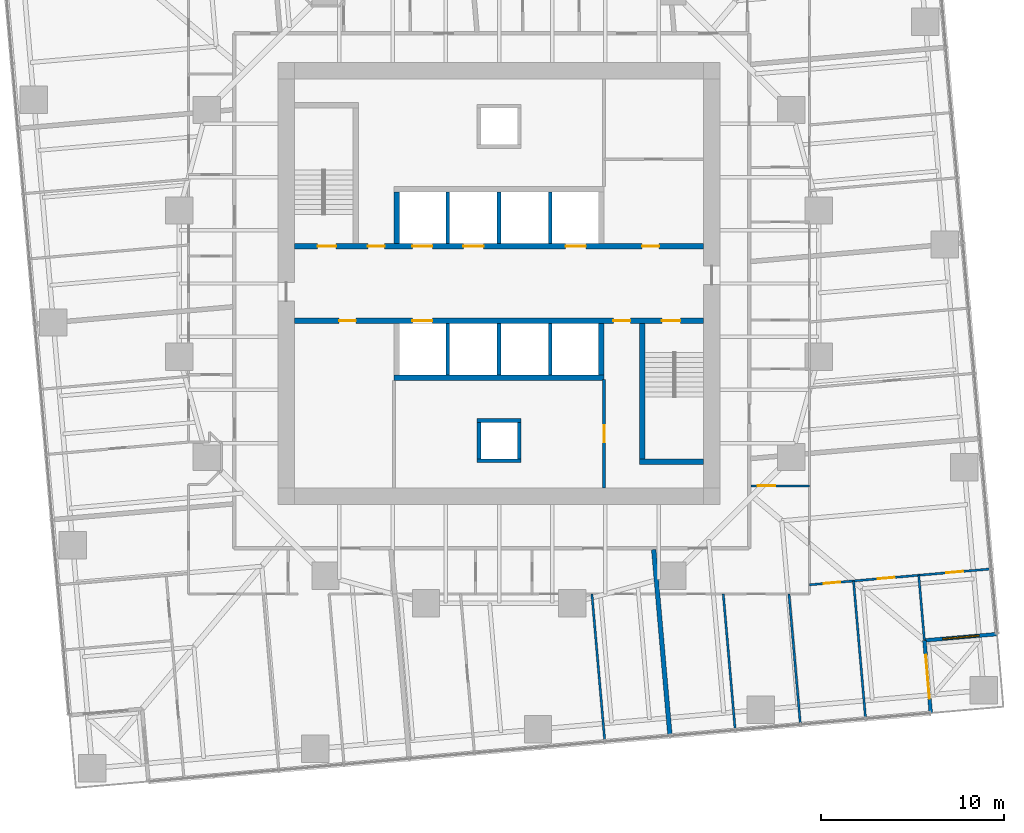
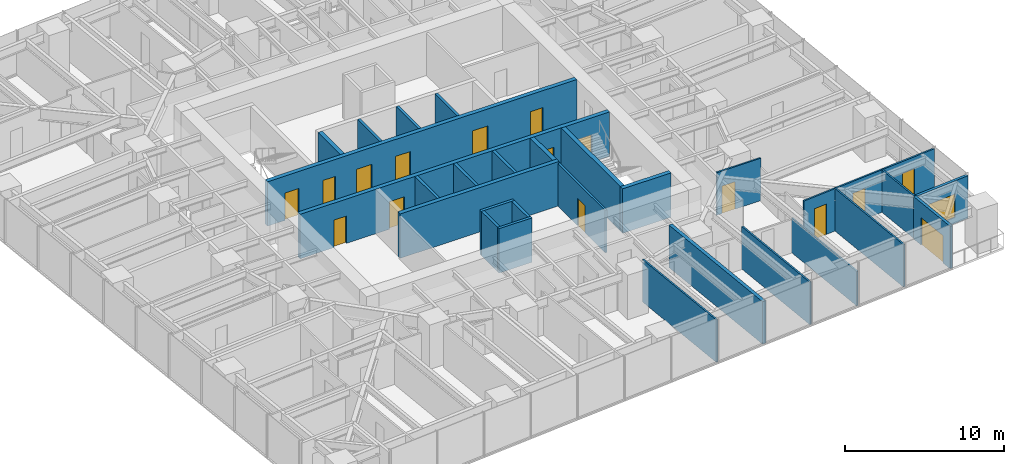
# One storey, part 10 of 14: 28 walls, 16 doors, 1 window, 17 openings.
"""IFC4 building model written with IfcOpenShell, lengths in metres."""

from ifc_helpers import new_model, si_unit, direction, frame, frame_2d, origin, place, context, subcontext, project, spatial, rectangle, extrude, material, layer, layer_set, type_object, element, fill, save


model = new_model("IFC4")

# Units and contexts
model_context = context("Model", 3, precision=1e-05, world=origin(), true_north=direction((0.0, 1.0)))
body_context = subcontext(model_context, "Body", "Model", "MODEL_VIEW")
ifc_project = project(units=[si_unit("LENGTHUNIT", "METRE"), si_unit("AREAUNIT", "SQUARE_METRE"), si_unit("VOLUMEUNIT", "CUBIC_METRE"), si_unit("PLANEANGLEUNIT", "RADIAN"), si_unit("MASSUNIT", "GRAM", prefix="KILO")], contexts=[model_context])

# Site, building, storey
site_placement = place(None, origin())
site = spatial("IfcSite", under=ifc_project, at=site_placement, CompositionType="ELEMENT")
building_placement = place(site_placement, origin())
building = spatial("IfcBuilding", under=site, at=building_placement, Name="Torsade Residences", CompositionType="ELEMENT")
storey_placement = place(building_placement, frame((0.0, 0.0, 54.0)))
storey = spatial("IfcBuildingStorey", under=building, at=storey_placement, Name="L14", CompositionType="ELEMENT", Elevation=54.0)

# Wall, openings, doors
ifc_material_1 = material(Name="Concrete 80 MPa", Category="concrete")
ifc_layer_1 = layer(ifc_material_1, 0.300048828125)
ifc_layer_set_1 = layer_set([ifc_layer_1], Name="Concrete 80 MPa")
wall_type_1 = type_object("IfcWallType", Name="CORE INTERNAL WALL 300", PredefinedType="SHEAR", material=ifc_layer_set_1)
wall_1_placement = place(storey_placement, frame((28.800048828125, 32.050048828125, 0.0), z_axis=(0.0, 0.0, 1.0), x_axis=(1.0, 0.0, 0.0)))
wall_1 = element("IfcWall", 1, at=wall_1_placement, inside=storey, type_object=wall_type_1, Name="Core wall LN L14", PredefinedType="SHEAR", context=body_context, shape_type="SweptSolid", body=[
    extrude(rectangle(XDim=22.39990234375, YDim=0.300048828125, at=frame_2d((11.199951171875, 0.0))), origin(), (0.0, 0.0, 1.0), 3.39990234375),
])
opening_1_placement = place(wall_1_placement, frame((19.0400390625, 0.0, 0.0)))
opening_1 = element("IfcOpeningElement", 2, at=opening_1_placement, cuts=wall_1, Name="Opening D06", PredefinedType="OPENING", context=body_context, shape_type="SweptSolid", body=[
    extrude(rectangle(XDim=0.919921875, YDim=2.10009765625, at=frame_2d((0.4599609375, 1.050048828125))), frame((0.0, 0.159912109375, 0.0), z_axis=(0.0, -1.0, 0.0), x_axis=(1.0, 0.0, 0.0)), (0.0, 0.0, 1.0), 0.320068359375),
])
opening_2_placement = place(wall_1_placement, frame((1.264892578125, 0.0, 0.0)))
opening_2 = element("IfcOpeningElement", 3, at=opening_2_placement, cuts=wall_1, Name="Opening D03", PredefinedType="OPENING", context=body_context, shape_type="SweptSolid", body=[
    extrude(rectangle(XDim=1.02001953125, YDim=2.10009765625, at=frame_2d((0.510009765625, 1.050048828125))), frame((0.0, 0.159912109375, 0.0), z_axis=(0.0, -1.0, 0.0), x_axis=(1.0, 0.0, 0.0)), (0.0, 0.0, 1.0), 0.320068359375),
])
opening_3_placement = place(wall_1_placement, frame((4.014892578125, 0.0, 0.0)))
opening_3 = element("IfcOpeningElement", 4, at=opening_3_placement, cuts=wall_1, Name="Opening D06", PredefinedType="OPENING", context=body_context, shape_type="SweptSolid", body=[
    extrude(rectangle(XDim=0.919921875, YDim=2.10009765625, at=frame_2d((0.4599609375, 1.050048828125))), frame((0.0, 0.159912109375, 0.0), z_axis=(0.0, -1.0, 0.0), x_axis=(1.0, 0.0, 0.0)), (0.0, 0.0, 1.0), 0.320068359375),
])
opening_4_placement = place(wall_1_placement, frame((6.449951171875, 0.0, 0.0)))
opening_4 = element("IfcOpeningElement", 5, at=opening_4_placement, cuts=wall_1, Name="Opening LD", PredefinedType="OPENING", context=body_context, shape_type="SweptSolid", body=[
    extrude(rectangle(XDim=1.10009765625, YDim=2.10009765625, at=frame_2d((0.550048828125, 1.050048828125))), frame((0.0, 0.159912109375, 0.0), z_axis=(0.0, -1.0, 0.0), x_axis=(1.0, 0.0, 0.0)), (0.0, 0.0, 1.0), 0.320068359375),
])
opening_5_placement = place(wall_1_placement, frame((9.25, 0.0, 0.0)))
opening_5 = element("IfcOpeningElement", 6, at=opening_5_placement, cuts=wall_1, Name="Opening LD", PredefinedType="OPENING", context=body_context, shape_type="SweptSolid", body=[
    extrude(rectangle(XDim=1.10009765625, YDim=2.10009765625, at=frame_2d((0.550048828125, 1.050048828125))), frame((0.0, 0.159912109375, 0.0), z_axis=(0.0, -1.0, 0.0), x_axis=(1.0, 0.0, 0.0)), (0.0, 0.0, 1.0), 0.320068359375),
])
opening_6_placement = place(wall_1_placement, frame((14.85009765625, 0.0, 0.0)))
opening_6 = element("IfcOpeningElement", 7, at=opening_6_placement, cuts=wall_1, Name="Opening LD", PredefinedType="OPENING", context=body_context, shape_type="SweptSolid", body=[
    extrude(rectangle(XDim=1.10009765625, YDim=2.10009765625, at=frame_2d((0.550048828125, 1.050048828125))), frame((0.0, 0.159912109375, 0.0), z_axis=(0.0, -1.0, 0.0), x_axis=(1.0, 0.0, 0.0)), (0.0, 0.0, 1.0), 0.320068359375),
])
ifc_material_2 = material(Name="Steel-framed fire door", Category="steel")
door_type_1 = type_object("IfcDoorType", Name="FIRE DOOR 1020", OperationType="NOTDEFINED", PredefinedType="DOOR", material=ifc_material_2)
door_1_placement = place(opening_2_placement, origin())
door_1 = element("IfcDoor", 8, at=door_1_placement, inside=storey, type_object=door_type_1, Name="Exit door to fire-isolated stair ST1 L14", OperationType="SINGLE_SWING_RIGHT", OverallHeight=2.10009765625, OverallWidth=1.02001953125, PredefinedType="DOOR", context=body_context, shape_type="SweptSolid", body=[
    extrude(rectangle(XDim=1.02001953125, YDim=2.10009765625, at=frame_2d((0.510009765625, 1.050048828125))), frame((0.0, 0.02490234375, 0.0), z_axis=(0.0, -1.0, 0.0), x_axis=(1.0, 0.0, 0.0)), (0.0, 0.0, 1.0), 0.050048828125),
])
fill(opening_2, door_1)
ifc_material_3 = material(Name="Steel-framed fire door", Category="steel")
door_type_2 = type_object("IfcDoorType", Name="FIRE DOOR 920", OperationType="NOTDEFINED", PredefinedType="DOOR", material=ifc_material_3)
door_2_placement = place(opening_1_placement, origin())
door_2 = element("IfcDoor", 9, at=door_2_placement, inside=storey, type_object=door_type_2, Name="Door Lift lobby to Refuse room", OperationType="SINGLE_SWING_LEFT", OverallHeight=2.10009765625, OverallWidth=0.919921875, PredefinedType="DOOR", context=body_context, shape_type="SweptSolid", body=[
    extrude(rectangle(XDim=0.919921875, YDim=2.10009765625, at=frame_2d((0.4599609375, 1.050048828125))), frame((0.0, 0.02490234375, 0.0), z_axis=(0.0, -1.0, 0.0), x_axis=(1.0, 0.0, 0.0)), (0.0, 0.0, 1.0), 0.050048828125),
])
fill(opening_1, door_2)
door_3_placement = place(opening_3_placement, origin())
door_3 = element("IfcDoor", 10, at=door_3_placement, inside=storey, type_object=door_type_2, Name="Door Lift lobby to Electrical riser room", OperationType="SINGLE_SWING_LEFT", OverallHeight=2.10009765625, OverallWidth=0.919921875, PredefinedType="DOOR", context=body_context, shape_type="SweptSolid", body=[
    extrude(rectangle(XDim=0.919921875, YDim=2.10009765625, at=frame_2d((0.4599609375, 1.050048828125))), frame((0.0, 0.02490234375, 0.0), z_axis=(0.0, -1.0, 0.0), x_axis=(1.0, 0.0, 0.0)), (0.0, 0.0, 1.0), 0.050048828125),
])
fill(opening_3, door_3)
ifc_material_4 = material(Name="Stainless steel lift landing door", Category="steel")
door_type_3 = type_object("IfcDoorType", Name="LIFT LANDING DOOR 1100", OperationType="SLIDING_TO_LEFT", PredefinedType="DOOR", material=ifc_material_4)
door_4_placement = place(opening_4_placement, origin())
door_4 = element("IfcDoor", 11, at=door_4_placement, inside=storey, type_object=door_type_3, Name="Lift LA1 landing door L14", OperationType="SLIDING_TO_LEFT", OverallHeight=2.10009765625, OverallWidth=1.10009765625, PredefinedType="DOOR", context=body_context, shape_type="SweptSolid", body=[
    extrude(rectangle(XDim=1.10009765625, YDim=2.10009765625, at=frame_2d((0.550048828125, 1.050048828125))), frame((0.0, 0.02490234375, 0.0), z_axis=(0.0, -1.0, 0.0), x_axis=(1.0, 0.0, 0.0)), (0.0, 0.0, 1.0), 0.050048828125),
])
fill(opening_4, door_4)
door_5_placement = place(opening_5_placement, origin())
door_5 = element("IfcDoor", 12, at=door_5_placement, inside=storey, type_object=door_type_3, Name="Lift LA2 landing door L14", OperationType="SLIDING_TO_LEFT", OverallHeight=2.10009765625, OverallWidth=1.10009765625, PredefinedType="DOOR", context=body_context, shape_type="SweptSolid", body=[
    extrude(rectangle(XDim=1.10009765625, YDim=2.10009765625, at=frame_2d((0.550048828125, 1.050048828125))), frame((0.0, 0.02490234375, 0.0), z_axis=(0.0, -1.0, 0.0), x_axis=(1.0, 0.0, 0.0)), (0.0, 0.0, 1.0), 0.050048828125),
])
fill(opening_5, door_5)
door_6_placement = place(opening_6_placement, origin())
door_6 = element("IfcDoor", 13, at=door_6_placement, inside=storey, type_object=door_type_3, Name="Lift FL1 landing door L14", OperationType="SLIDING_TO_LEFT", OverallHeight=2.10009765625, OverallWidth=1.10009765625, PredefinedType="DOOR", context=body_context, shape_type="SweptSolid", body=[
    extrude(rectangle(XDim=1.10009765625, YDim=2.10009765625, at=frame_2d((0.550048828125, 1.050048828125))), frame((0.0, 0.02490234375, 0.0), z_axis=(0.0, -1.0, 0.0), x_axis=(1.0, 0.0, 0.0)), (0.0, 0.0, 1.0), 0.050048828125),
])
fill(opening_6, door_6)

wall_2_placement = place(storey_placement, frame((51.199951171875, 27.949951171875, 0.0), z_axis=(0.0, 0.0, 1.0), x_axis=(-1.0, 0.0, 0.0)))
wall_2 = element("IfcWall", 14, at=wall_2_placement, inside=storey, type_object=wall_type_1, Name="Core wall LS L14", PredefinedType="SHEAR", context=body_context, shape_type="SweptSolid", body=[
    extrude(rectangle(XDim=22.39990234375, YDim=0.300048828125, at=frame_2d((11.199951171875, 0.0))), origin(), (0.0, 0.0, 1.0), 3.39990234375),
])
opening_7_placement = place(wall_2_placement, frame((19.0400390625, 0.0, 0.0)))
opening_7 = element("IfcOpeningElement", 15, at=opening_7_placement, cuts=wall_2, Name="Opening D06", PredefinedType="OPENING", context=body_context, shape_type="SweptSolid", body=[
    extrude(rectangle(XDim=0.919921875, YDim=2.10009765625, at=frame_2d((0.4599609375, 1.050048828125))), frame((0.0, 0.159912109375, 0.0), z_axis=(0.0, -1.0, 0.0), x_axis=(1.0, 0.0, 0.0)), (0.0, 0.0, 1.0), 0.320068359375),
])
opening_8_placement = place(wall_2_placement, frame((1.264892578125, 0.0, 0.0)))
opening_8 = element("IfcOpeningElement", 16, at=opening_8_placement, cuts=wall_2, Name="Opening D03", PredefinedType="OPENING", context=body_context, shape_type="SweptSolid", body=[
    extrude(rectangle(XDim=1.02001953125, YDim=2.10009765625, at=frame_2d((0.510009765625, 1.050048828125))), frame((0.0, 0.159912109375, 0.0), z_axis=(0.0, -1.0, 0.0), x_axis=(1.0, 0.0, 0.0)), (0.0, 0.0, 1.0), 0.320068359375),
])
opening_9_placement = place(wall_2_placement, frame((4.014892578125, 0.0, 0.0)))
opening_9 = element("IfcOpeningElement", 17, at=opening_9_placement, cuts=wall_2, Name="Opening D06", PredefinedType="OPENING", context=body_context, shape_type="SweptSolid", body=[
    extrude(rectangle(XDim=0.919921875, YDim=2.10009765625, at=frame_2d((0.4599609375, 1.050048828125))), frame((0.0, 0.159912109375, 0.0), z_axis=(0.0, -1.0, 0.0), x_axis=(1.0, 0.0, 0.0)), (0.0, 0.0, 1.0), 0.320068359375),
])
opening_10_placement = place(wall_2_placement, frame((14.85009765625, 0.0, 0.0)))
opening_10 = element("IfcOpeningElement", 18, at=opening_10_placement, cuts=wall_2, Name="Opening LD", PredefinedType="OPENING", context=body_context, shape_type="SweptSolid", body=[
    extrude(rectangle(XDim=1.10009765625, YDim=2.10009765625, at=frame_2d((0.550048828125, 1.050048828125))), frame((0.0, 0.159912109375, 0.0), z_axis=(0.0, -1.0, 0.0), x_axis=(1.0, 0.0, 0.0)), (0.0, 0.0, 1.0), 0.320068359375),
])
door_7_placement = place(opening_8_placement, origin())
door_7 = element("IfcDoor", 19, at=door_7_placement, inside=storey, type_object=door_type_1, Name="Exit door to fire-isolated stair ST2 L14", OperationType="SINGLE_SWING_RIGHT", OverallHeight=2.10009765625, OverallWidth=1.02001953125, PredefinedType="DOOR", context=body_context, shape_type="SweptSolid", body=[
    extrude(rectangle(XDim=1.02001953125, YDim=2.10009765625, at=frame_2d((0.510009765625, 1.050048828125))), frame((0.0, 0.02490234375, 0.0), z_axis=(0.0, -1.0, 0.0), x_axis=(1.0, 0.0, 0.0)), (0.0, 0.0, 1.0), 0.050048828125),
])
fill(opening_8, door_7)
door_8_placement = place(opening_7_placement, origin())
door_8 = element("IfcDoor", 20, at=door_8_placement, inside=storey, type_object=door_type_2, Name="Door Lift lobby to Cleaner store", OperationType="SINGLE_SWING_LEFT", OverallHeight=2.10009765625, OverallWidth=0.919921875, PredefinedType="DOOR", context=body_context, shape_type="SweptSolid", body=[
    extrude(rectangle(XDim=0.919921875, YDim=2.10009765625, at=frame_2d((0.4599609375, 1.050048828125))), frame((0.0, 0.02490234375, 0.0), z_axis=(0.0, -1.0, 0.0), x_axis=(1.0, 0.0, 0.0)), (0.0, 0.0, 1.0), 0.050048828125),
])
fill(opening_7, door_8)
door_9_placement = place(opening_9_placement, origin())
door_9 = element("IfcDoor", 21, at=door_9_placement, inside=storey, type_object=door_type_2, Name="Door Lift lobby to Security and data store", OperationType="SINGLE_SWING_RIGHT", OverallHeight=2.10009765625, OverallWidth=0.919921875, PredefinedType="DOOR", context=body_context, shape_type="SweptSolid", body=[
    extrude(rectangle(XDim=0.919921875, YDim=2.10009765625, at=frame_2d((0.4599609375, 1.050048828125))), frame((0.0, 0.02490234375, 0.0), z_axis=(0.0, -1.0, 0.0), x_axis=(1.0, 0.0, 0.0)), (0.0, 0.0, 1.0), 0.050048828125),
])
fill(opening_9, door_9)
door_10_placement = place(opening_10_placement, origin())
door_10 = element("IfcDoor", 22, at=door_10_placement, inside=storey, type_object=door_type_3, Name="Lift FL2 landing door L14", OperationType="SLIDING_TO_LEFT", OverallHeight=2.10009765625, OverallWidth=1.10009765625, PredefinedType="DOOR", context=body_context, shape_type="SweptSolid", body=[
    extrude(rectangle(XDim=1.10009765625, YDim=2.10009765625, at=frame_2d((0.550048828125, 1.050048828125))), frame((0.0, 0.02490234375, 0.0), z_axis=(0.0, -1.0, 0.0), x_axis=(1.0, 0.0, 0.0)), (0.0, 0.0, 1.0), 0.050048828125),
])
fill(opening_10, door_10)

# Walls
wall_3_placement = place(storey_placement, frame((45.75, 24.85009765625, 0.0), z_axis=(0.0, 0.0, 1.0), x_axis=(-1.0, 0.0, 0.0)))
element("IfcWall", 23, at=wall_3_placement, inside=storey, type_object=wall_type_1, Name="Core wall BS L14", PredefinedType="SHEAR", context=body_context, shape_type="SweptSolid", body=[
    extrude(rectangle(XDim=11.5, YDim=0.300048828125, at=frame_2d((5.75, 0.0))), origin(), (0.0, 0.0, 1.0), 3.39990234375),
])
for number, where, z_axis, x_axis, name in (
    (24, (34.39990234375, 32.199951171875, 0.0), (0.0, 0.0, 1.0), (0.0, 1.0, 0.0), "Core wall DN0 L14"),
    (25, (45.60009765625, 27.800048828125, 0.0), (0.0, 0.0, 1.0), (0.0, -1.0, 0.0), "Core wall DS0 L14"),
):
    element("IfcWall", number, at=place(storey_placement, frame(where, z_axis=z_axis, x_axis=x_axis)), inside=storey, type_object=wall_type_1, Name=name, PredefinedType="SHEAR", context=body_context, shape_type="SweptSolid", body=[
        extrude(rectangle(XDim=2.800048828125, YDim=0.300048828125, at=frame_2d((1.39990234375, 0.0))), origin(), (0.0, 0.0, 1.0), 3.39990234375),
    ])
wall_4_placement = place(storey_placement, frame((47.85009765625, 27.800048828125, 0.0), z_axis=(0.0, 0.0, 1.0), x_axis=(0.0, -1.0, 0.0)))
element("IfcWall", 26, at=wall_4_placement, inside=storey, type_object=wall_type_1, Name="Core wall ST2W L14", PredefinedType="SHEAR", context=body_context, shape_type="SweptSolid", body=[
    extrude(rectangle(XDim=7.699951171875, YDim=0.300048828125, at=frame_2d((3.85009765625, 0.0))), origin(), (0.0, 0.0, 1.0), 3.39990234375),
])
wall_5_placement = place(storey_placement, frame((51.199951171875, 20.25, 0.0), z_axis=(0.0, 0.0, 1.0), x_axis=(-1.0, 0.0, 0.0)))
element("IfcWall", 27, at=wall_5_placement, inside=storey, type_object=wall_type_1, Name="Core wall ST2S L14", PredefinedType="SHEAR", context=body_context, shape_type="SweptSolid", body=[
    extrude(rectangle(XDim=3.5, YDim=0.300048828125, at=frame_2d((1.75, 0.0))), origin(), (0.0, 0.0, 1.0), 3.39990234375),
])
ifc_material_5 = material(Name="Reinforced blockwork", Category="masonry")
ifc_layer_2 = layer(ifc_material_5, 0.199951171875)
ifc_layer_set_2 = layer_set([ifc_layer_2], Name="Reinforced blockwork")
wall_type_2 = type_object("IfcWallType", Name="LIFT SHAFT DIVIDING WALL 200", PredefinedType="SOLIDWALL", material=ifc_layer_set_2)
for number, where, z_axis, x_axis, name in (
    (28, (37.199951171875, 32.199951171875, 0.0), (0.0, 0.0, 1.0), (0.0, 1.0, 0.0), "Core wall DN1 L14"),
    (29, (42.800048828125, 27.800048828125, 0.0), (0.0, 0.0, 1.0), (0.0, -1.0, 0.0), "Core wall DS1 L14"),
    (30, (40.0, 32.199951171875, 0.0), (0.0, 0.0, 1.0), (0.0, 1.0, 0.0), "Core wall DN2 L14"),
    (31, (40.0, 27.800048828125, 0.0), (0.0, 0.0, 1.0), (0.0, -1.0, 0.0), "Core wall DS2 L14"),
    (32, (42.800048828125, 32.199951171875, 0.0), (0.0, 0.0, 1.0), (0.0, 1.0, 0.0), "Core wall DN3 L14"),
    (33, (37.199951171875, 27.800048828125, 0.0), (0.0, 0.0, 1.0), (0.0, -1.0, 0.0), "Core wall DS3 L14"),
):
    element("IfcWall", number, at=place(storey_placement, frame(where, z_axis=z_axis, x_axis=x_axis)), inside=storey, type_object=wall_type_2, Name=name, PredefinedType="SOLIDWALL", context=body_context, shape_type="SweptSolid", body=[
        extrude(rectangle(XDim=2.800048828125, YDim=0.199951171875, at=frame_2d((1.39990234375, 0.0))), origin(), (0.0, 0.0, 1.0), 3.39990234375),
    ])
ifc_material_6 = material(Name="Plasterboard on steel stud", Category="steel")
ifc_layer_3 = layer(ifc_material_6, 0.1201171875)
ifc_layer_set_3 = layer_set([ifc_layer_3], Name="Plasterboard on steel stud")
wall_type_3 = type_object("IfcWallType", Name="PARTITION 120", PredefinedType="PARTITIONING", material=ifc_layer_set_3)
wall_6_placement = place(storey_placement, frame((45.084228515625, 13.0, 0.0), z_axis=(0.0, 0.0, 1.0), x_axis=(0.087184938313, -0.99619214338, 0.0)))
element("IfcWall", 34, at=wall_6_placement, inside=storey, type_object=wall_type_3, Name="Partition L14", PredefinedType="PARTITIONING", context=body_context, shape_type="SweptSolid", body=[
    extrude(rectangle(XDim=8.08154296875, YDim=0.1201171875, at=frame_2d((4.040771484375, 0.0))), origin(), (0.0, 0.0, 1.0), 3.25),
])

# Wall, opening, door
wall_7_placement = place(storey_placement, frame((53.800048828125, 18.917724609375, 0.0), z_axis=(0.0, 0.0, 1.0), x_axis=(1.0, 0.0, 0.0)))
wall_7 = element("IfcWall", 35, at=wall_7_placement, inside=storey, type_object=wall_type_3, Name="Partition L14", PredefinedType="PARTITIONING", context=body_context, shape_type="SweptSolid", body=[
    extrude(rectangle(XDim=3.199951171875, YDim=0.1201171875, at=frame_2d((1.60009765625, 0.0))), origin(), (0.0, 0.0, 1.0), 3.25),
])
opening_11_placement = place(wall_7_placement, frame((0.3701171875, 0.0, 0.0)))
opening_11 = element("IfcOpeningElement", 36, at=opening_11_placement, cuts=wall_7, Name="Opening D05", PredefinedType="OPENING", context=body_context, shape_type="SweptSolid", body=[
    extrude(rectangle(XDim=0.9599609375, YDim=2.10009765625, at=frame_2d((0.47998046875, 1.050048828125))), frame((0.0, 0.070068359375, 0.0), z_axis=(0.0, -1.0, 0.0), x_axis=(1.0, 0.0, 0.0)), (0.0, 0.0, 1.0), 0.14013671875),
])
ifc_material_7 = material(Name="Hollow-core timber door in a steel cavity frame", Category="steel")
door_type_4 = type_object("IfcDoorType", Name="BATHROOM CAVITY SLIDING DOOR 960", OperationType="SLIDING_TO_LEFT", PredefinedType="DOOR", material=ifc_material_7)
door_11_placement = place(opening_11_placement, origin())
door_11 = element("IfcDoor", 37, at=door_11_placement, inside=storey, type_object=door_type_4, Name="Door Kitchen and dining to Bathroom", OperationType="SLIDING_TO_LEFT", OverallHeight=2.10009765625, OverallWidth=0.9599609375, PredefinedType="DOOR", context=body_context, shape_type="SweptSolid", body=[
    extrude(rectangle(XDim=0.9599609375, YDim=2.10009765625, at=frame_2d((0.47998046875, 1.050048828125))), frame((0.0, 0.02490234375, 0.0), z_axis=(0.0, -1.0, 0.0), x_axis=(1.0, 0.0, 0.0)), (0.0, 0.0, 1.0), 0.050048828125),
])
fill(opening_11, door_11)

# Wall, openings, doors
wall_8_placement = place(storey_placement, frame((66.924560546875, 14.37060546875, 0.0), z_axis=(0.0, 0.0, 1.0), x_axis=(-0.996193637696, -0.087167862274, 0.0)))
wall_8 = element("IfcWall", 38, at=wall_8_placement, inside=storey, type_object=wall_type_3, Name="Partition L14", PredefinedType="PARTITIONING", context=body_context, shape_type="SweptSolid", body=[
    extrude(rectangle(XDim=9.96240234375, YDim=0.1201171875, at=frame_2d((4.981201171875, 0.0))), origin(), (0.0, 0.0, 1.0), 3.25),
])
opening_12_placement = place(wall_8_placement, frame((1.525146484375, 0.0, 0.0)))
opening_12 = element("IfcOpeningElement", 39, at=opening_12_placement, cuts=wall_8, Name="Opening D02", PredefinedType="OPENING", context=body_context, shape_type="SweptSolid", body=[
    extrude(rectangle(XDim=0.919921875, YDim=2.340087890625, at=frame_2d((0.4599609375, 1.169921875))), frame((0.0, 0.070068359375, 0.0), z_axis=(0.0, -1.0, 0.0), x_axis=(1.0, 0.0, 0.0)), (0.0, 0.0, 1.0), 0.14013671875),
])
opening_13_placement = place(wall_8_placement, frame((5.291748046875, 0.0, 0.0)))
opening_13 = element("IfcOpeningElement", 40, at=opening_13_placement, cuts=wall_8, Name="Opening D02", PredefinedType="OPENING", context=body_context, shape_type="SweptSolid", body=[
    extrude(rectangle(XDim=0.919921875, YDim=2.340087890625, at=frame_2d((0.4599609375, 1.169921875))), frame((0.0, 0.070068359375, 0.0), z_axis=(0.0, -1.0, 0.0), x_axis=(1.0, 0.0, 0.0)), (0.0, 0.0, 1.0), 0.14013671875),
])
opening_14_placement = place(wall_8_placement, frame((8.267822265625, 0.0, 0.0)))
opening_14 = element("IfcOpeningElement", 41, at=opening_14_placement, cuts=wall_8, Name="Opening D02", PredefinedType="OPENING", context=body_context, shape_type="SweptSolid", body=[
    extrude(rectangle(XDim=0.919921875, YDim=2.340087890625, at=frame_2d((0.4599609375, 1.169921875))), frame((0.0, 0.070068359375, 0.0), z_axis=(0.0, -1.0, 0.0), x_axis=(1.0, 0.0, 0.0)), (0.0, 0.0, 1.0), 0.14013671875),
])
ifc_material_8 = material(Name="Hollow-core timber door", Category="wood")
door_type_5 = type_object("IfcDoorType", Name="INTERNAL DOOR 920x2340", OperationType="NOTDEFINED", PredefinedType="DOOR", material=ifc_material_8)
door_12_placement = place(opening_12_placement, origin())
door_12 = element("IfcDoor", 42, at=door_12_placement, inside=storey, type_object=door_type_5, Name="Door Living room to Media room", OperationType="SINGLE_SWING_RIGHT", OverallHeight=2.340087890625, OverallWidth=0.919921875, PredefinedType="DOOR", context=body_context, shape_type="SweptSolid", body=[
    extrude(rectangle(XDim=0.919921875, YDim=2.340087890625, at=frame_2d((0.4599609375, 1.169921875))), frame((0.0, 0.02490234375, 0.0), z_axis=(0.0, -1.0, 0.0), x_axis=(1.0, 0.0, 0.0)), (0.0, 0.0, 1.0), 0.050048828125),
])
fill(opening_12, door_12)
door_13_placement = place(opening_13_placement, origin())
door_13 = element("IfcDoor", 43, at=door_13_placement, inside=storey, type_object=door_type_5, Name="Door Living room to Bedroom 2", OperationType="SINGLE_SWING_RIGHT", OverallHeight=2.340087890625, OverallWidth=0.919921875, PredefinedType="DOOR", context=body_context, shape_type="SweptSolid", body=[
    extrude(rectangle(XDim=0.919921875, YDim=2.340087890625, at=frame_2d((0.4599609375, 1.169921875))), frame((0.0, 0.02490234375, 0.0), z_axis=(0.0, -1.0, 0.0), x_axis=(1.0, 0.0, 0.0)), (0.0, 0.0, 1.0), 0.050048828125),
])
fill(opening_13, door_13)
door_14_placement = place(opening_14_placement, origin())
door_14 = element("IfcDoor", 44, at=door_14_placement, inside=storey, type_object=door_type_5, Name="Door Living room to Study", OperationType="SINGLE_SWING_LEFT", OverallHeight=2.340087890625, OverallWidth=0.919921875, PredefinedType="DOOR", context=body_context, shape_type="SweptSolid", body=[
    extrude(rectangle(XDim=0.919921875, YDim=2.340087890625, at=frame_2d((0.4599609375, 1.169921875))), frame((0.0, 0.02490234375, 0.0), z_axis=(0.0, -1.0, 0.0), x_axis=(1.0, 0.0, 0.0)), (0.0, 0.0, 1.0), 0.050048828125),
])
fill(opening_14, door_14)

# Walls
wall_9_placement = place(storey_placement, frame((52.2783203125, 13.0, 0.0), z_axis=(0.0, 0.0, 1.0), x_axis=(0.087148261987, -0.996195352545, 0.0)))
element("IfcWall", 45, at=wall_9_placement, inside=storey, type_object=wall_type_3, Name="Partition L14", PredefinedType="PARTITIONING", context=body_context, shape_type="SweptSolid", body=[
    extrude(rectangle(XDim=7.45458984375, YDim=0.1201171875, at=frame_2d((3.727294921875, 0.0))), origin(), (0.0, 0.0, 1.0), 3.25),
])
wall_10_placement = place(storey_placement, frame((60.0673828125, 6.198486328125, 0.0), z_axis=(0.0, 0.0, 1.0), x_axis=(-0.087161730761, 0.99619417419, 0.0)))
element("IfcWall", 46, at=wall_10_placement, inside=storey, type_object=wall_type_3, Name="Partition L14", PredefinedType="PARTITIONING", context=body_context, shape_type="SweptSolid", body=[
    extrude(rectangle(XDim=7.543212890625, YDim=0.1201171875, at=frame_2d((3.771484375, 0.0))), origin(), (0.0, 0.0, 1.0), 3.25),
])
wall_11_placement = place(storey_placement, frame((62.979736328125, 14.025390625, 0.0), z_axis=(0.0, 0.0, 1.0), x_axis=(0.087161821847, -0.996194166221, 0.0)))
element("IfcWall", 47, at=wall_11_placement, inside=storey, type_object=wall_type_3, Name="Partition L14", PredefinedType="PARTITIONING", context=body_context, shape_type="SweptSolid", body=[
    extrude(rectangle(XDim=3.543212890625, YDim=0.1201171875, at=frame_2d((1.771484375, 0.0))), origin(), (0.0, 0.0, 1.0), 3.25),
])
wall_12_placement = place(storey_placement, frame((56.497802734375, 5.88623046875, 0.0), z_axis=(0.0, 0.0, 1.0), x_axis=(-0.087147441029, 0.996195424363, 0.0)))
element("IfcWall", 48, at=wall_12_placement, inside=storey, type_object=wall_type_3, Name="Partition L14", PredefinedType="PARTITIONING", context=body_context, shape_type="SweptSolid", body=[
    extrude(rectangle(XDim=7.140869140625, YDim=0.1201171875, at=frame_2d((3.5703125, 0.0))), origin(), (0.0, 0.0, 1.0), 2.637939453125),
])
ifc_material_9 = material(Name="Masonry-lined stud party wall", Category="masonry")
ifc_layer_4 = layer(ifc_material_9, 0.25)
ifc_layer_set_4 = layer_set([ifc_layer_4], Name="Masonry-lined stud party wall")
wall_type_4 = type_object("IfcWallType", Name="PARTY WALL 250", PredefinedType="PARTITIONING", material=ifc_layer_set_4)
wall_13_placement = place(storey_placement, frame((49.36181640625, 5.2216796875, 0.0), z_axis=(0.0, 0.0, 1.0), x_axis=(-0.087160151988, 0.996194312323, 0.0)))
element("IfcWall", 49, at=wall_13_placement, inside=storey, type_object=wall_type_4, Name="Party wall L14", PredefinedType="PARTITIONING", context=body_context, shape_type="SweptSolid", body=[
    extrude(rectangle(XDim=10.246337890625, YDim=0.25, at=frame_2d((5.123046875, 0.0))), origin(), (0.0, 0.0, 1.0), 3.25),
])
ifc_material_10 = material(Name="Reinforced blockwork", Category="masonry")
ifc_layer_5 = layer(ifc_material_10, 0.199951171875)
ifc_layer_set_5 = layer_set([ifc_layer_5], Name="Reinforced blockwork")
wall_type_5 = type_object("IfcWallType", Name="RISER SHAFT WALL 200", PredefinedType="SOLIDWALL", material=ifc_layer_set_5)
for number, where, z_axis, x_axis, name in (
    (50, (38.89990234375, 22.39990234375, 0.0), (0.0, 0.0, 1.0), (0.0, -1.0, 0.0), "Core wall RS2a L14"),
    (51, (41.10009765625, 22.39990234375, 0.0), (0.0, 0.0, 1.0), (0.0, -1.0, 0.0), "Core wall RS2b L14"),
):
    element("IfcWall", number, at=place(storey_placement, frame(where, z_axis=z_axis, x_axis=x_axis)), inside=storey, type_object=wall_type_5, Name=name, PredefinedType="SOLIDWALL", context=body_context, shape_type="SweptSolid", body=[
        extrude(rectangle(XDim=2.0, YDim=0.199951171875, at=frame_2d((1.0, 0.0))), origin(), (0.0, 0.0, 1.0), 3.39990234375),
    ])
for number, where, z_axis, x_axis, name in (
    (52, (38.800048828125, 22.5, 0.0), (0.0, 0.0, 1.0), (1.0, 0.0, 0.0), "Core wall RS2c L14"),
    (53, (38.800048828125, 20.300048828125, 0.0), (0.0, 0.0, 1.0), (1.0, 0.0, 0.0), "Core wall RS2d L14"),
):
    element("IfcWall", number, at=place(storey_placement, frame(where, z_axis=z_axis, x_axis=x_axis)), inside=storey, type_object=wall_type_5, Name=name, PredefinedType="SOLIDWALL", context=body_context, shape_type="SweptSolid", body=[
        extrude(rectangle(XDim=2.39990234375, YDim=0.199951171875, at=frame_2d((1.199951171875, 0.0))), origin(), (0.0, 0.0, 1.0), 3.39990234375),
    ])

# Wall, opening, door
ifc_material_11 = material(Name="Reinforced blockwork", Category="masonry")
ifc_layer_6 = layer(ifc_material_11, 0.14990234375)
ifc_layer_set_6 = layer_set([ifc_layer_6], Name="Reinforced blockwork")
wall_type_6 = type_object("IfcWallType", Name="SERVICE ROOM WALL 150", PredefinedType="SOLIDWALL", material=ifc_layer_set_6)
wall_14_placement = place(storey_placement, frame((45.75, 18.800048828125, 0.0), z_axis=(0.0, 0.0, 1.0), x_axis=(0.0, 1.0, 0.0)))
wall_14 = element("IfcWall", 54, at=wall_14_placement, inside=storey, type_object=wall_type_6, Name="Service room wall L14", PredefinedType="SOLIDWALL", context=body_context, shape_type="SweptSolid", body=[
    extrude(rectangle(XDim=5.949951171875, YDim=0.14990234375, at=frame_2d((2.97509765625, 0.0))), origin(), (0.0, 0.0, 1.0), 3.25),
])
opening_15_placement = place(wall_14_placement, frame((2.514892578125, 0.0, 0.0)))
opening_15 = element("IfcOpeningElement", 55, at=opening_15_placement, cuts=wall_14, Name="Opening D06", PredefinedType="OPENING", context=body_context, shape_type="SweptSolid", body=[
    extrude(rectangle(XDim=0.919921875, YDim=2.10009765625, at=frame_2d((0.4599609375, 1.050048828125))), frame((0.0, 0.0849609375, 0.0), z_axis=(0.0, -1.0, 0.0), x_axis=(1.0, 0.0, 0.0)), (0.0, 0.0, 1.0), 0.169921875),
])
door_15_placement = place(opening_15_placement, origin())
door_15 = element("IfcDoor", 56, at=door_15_placement, inside=storey, type_object=door_type_2, Name="Door Security and data store to Communications riser room", OperationType="SINGLE_SWING_LEFT", OverallHeight=2.10009765625, OverallWidth=0.919921875, PredefinedType="DOOR", context=body_context, shape_type="SweptSolid", body=[
    extrude(rectangle(XDim=0.919921875, YDim=2.10009765625, at=frame_2d((0.4599609375, 1.050048828125))), frame((0.0, 0.02490234375, 0.0), z_axis=(0.0, -1.0, 0.0), x_axis=(1.0, 0.0, 0.0)), (0.0, 0.0, 1.0), 0.050048828125),
])
fill(opening_15, door_15)

ifc_material_12 = material(Name="Stone-faced precast concrete 40 MPa panel", Category="masonry")
ifc_layer_7 = layer(ifc_material_12, 0.199951171875)
ifc_layer_set_7 = layer_set([ifc_layer_7], Name="Stone-faced precast concrete 40 MPa panel")
wall_type_7 = type_object("IfcWallType", Name="TERRACE WALL 200", PredefinedType="SOLIDWALL", material=ifc_layer_set_7)
wall_15_placement = place(storey_placement, frame((63.640625, 6.470947265625, 0.0), z_axis=(0.0, 0.0, 1.0), x_axis=(-0.087161650072, 0.99619418125, 0.0)))
wall_15 = element("IfcWall", 57, at=wall_15_placement, inside=storey, type_object=wall_type_7, Name="Terrace wall L14 2", PredefinedType="SOLIDWALL", context=body_context, shape_type="SweptSolid", body=[
    extrude(rectangle(XDim=3.999755859375, YDim=0.199951171875, at=frame_2d((2.0, 0.0))), origin(), (0.0, 0.0, 1.0), 3.25),
])
opening_16_placement = place(wall_15_placement, frame((0.800048828125, 0.0, 0.0)))
opening_16 = element("IfcOpeningElement", 58, at=opening_16_placement, cuts=wall_15, Name="Opening D10A", PredefinedType="OPENING", context=body_context, shape_type="SweptSolid", body=[
    extrude(rectangle(XDim=2.39990234375, YDim=2.10009765625, at=frame_2d((1.199951171875, 1.050048828125))), frame((0.0, 0.10986328125, 0.0), z_axis=(0.0, -1.0, 0.0), x_axis=(1.0, 0.0, 0.0)), (0.0, 0.0, 1.0), 0.219970703125),
])
ifc_material_13 = material(Name="Aluminium-framed glass door", Category="aluminium")
door_type_6 = type_object("IfcDoorType", Name="TERRACE SLIDING DOOR 2400x2100", OperationType="SLIDING_TO_LEFT", PredefinedType="DOOR", material=ifc_material_13)
door_16_placement = place(opening_16_placement, origin())
door_16 = element("IfcDoor", 59, at=door_16_placement, inside=storey, type_object=door_type_6, Name="Terrace door L14 2", OperationType="SLIDING_TO_LEFT", OverallHeight=2.10009765625, OverallWidth=2.39990234375, PredefinedType="DOOR", context=body_context, shape_type="SweptSolid", body=[
    extrude(rectangle(XDim=2.39990234375, YDim=2.10009765625, at=frame_2d((1.199951171875, 1.050048828125))), frame((0.0, 0.02490234375, 0.0), z_axis=(0.0, -1.0, 0.0), x_axis=(1.0, 0.0, 0.0)), (0.0, 0.0, 1.0), 0.050048828125),
])
fill(opening_16, door_16)

# Wall, opening, window
wall_16_placement = place(storey_placement, frame((63.2919921875, 10.45556640625, 0.0), z_axis=(0.0, 0.0, 1.0), x_axis=(0.99619464492, 0.087156350505, 0.0)))
wall_16 = element("IfcWall", 60, at=wall_16_placement, inside=storey, type_object=wall_type_7, Name="Terrace wall L14 3", PredefinedType="SOLIDWALL", context=body_context, shape_type="SweptSolid", body=[
    extrude(rectangle(XDim=4.0, YDim=0.199951171875, at=frame_2d((2.0, 0.0))), origin(), (0.0, 0.0, 1.0), 3.25),
])
opening_17_placement = place(wall_16_placement, frame((1.0, 0.0, 0.449951171875)))
opening_17 = element("IfcOpeningElement", 61, at=opening_17_placement, cuts=wall_16, Name="Opening W1B", PredefinedType="OPENING", context=body_context, shape_type="SweptSolid", body=[
    extrude(rectangle(XDim=2.0, YDim=1.800048828125, at=frame_2d((1.0, 0.89990234375))), frame((0.0, 0.10986328125, 0.0), z_axis=(0.0, -1.0, 0.0), x_axis=(1.0, 0.0, 0.0)), (0.0, 0.0, 1.0), 0.219970703125),
])
ifc_material_14 = material(Name="Aluminium-framed glass window", Category="aluminium")
window_type = type_object("IfcWindowType", Name="TERRACE WINDOW 2000x1800", PartitioningType="SINGLE_PANEL", PredefinedType="WINDOW", material=ifc_material_14)
window_placement = place(opening_17_placement, origin())
window = element("IfcWindow", 62, at=window_placement, inside=storey, type_object=window_type, Name="Terrace window L14 3", OverallHeight=1.800048828125, OverallWidth=2.0, PartitioningType="SINGLE_PANEL", PredefinedType="WINDOW", context=body_context, shape_type="SweptSolid", body=[
    extrude(rectangle(XDim=2.0, YDim=1.800048828125, at=frame_2d((1.0, 0.89990234375))), frame((0.0, 0.030029296875, 0.0), z_axis=(0.0, -1.0, 0.0), x_axis=(1.0, 0.0, 0.0)), (0.0, 0.0, 1.0), 0.06005859375),
])
fill(opening_17, window)

save(model, "model.ifc")
